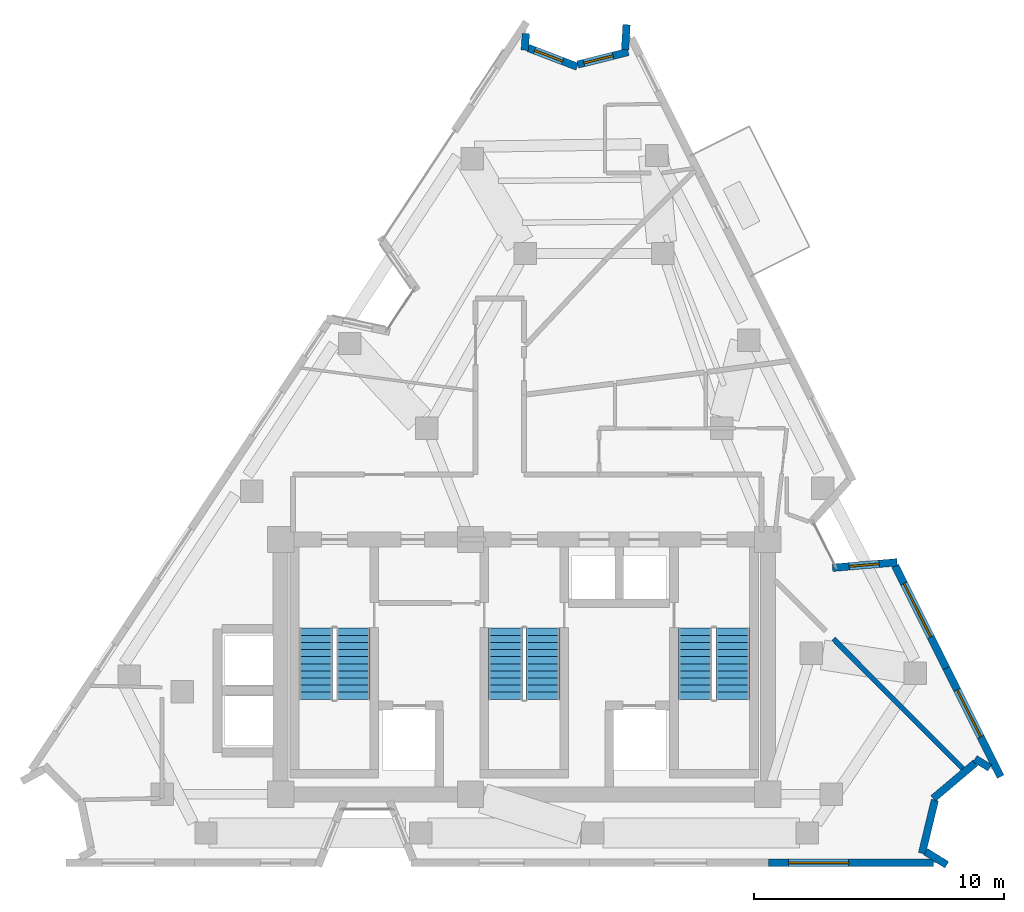
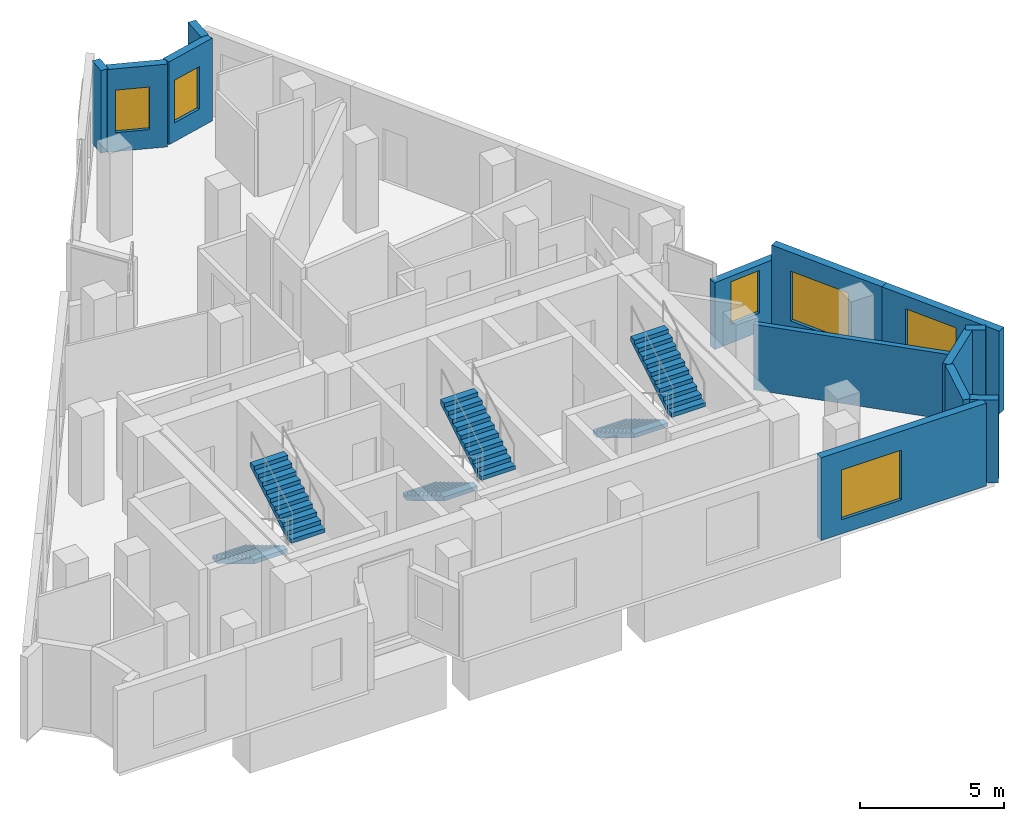
# One storey, part 8 of 9: 13 walls, 6 stair flights, 6 windows, 6 openings, 3 elements without a shape of their own.
"""IFC4 building model written with IfcOpenShell, lengths in metres."""

import ifcopenshell
import ifcopenshell.guid

model = None  # the IFC model being written
_history = None  # IfcOwnerHistory: only IFC2X3 demands one
_inside = {}  # id of a spatial element -> (the spatial element, [elements in it])
_under = {}  # id of a project, library or spatial element -> (it, [spatial elements below it])
_declared = {}  # id of a project -> (the project, [libraries it declares])
_typed = {}  # id of a type object -> (the type object, [elements of that type])
_made_of = {}  # id of a material, layer set ... -> (it, [elements and type objects made of it])


def new_model(schema):
    """Start an empty IFC model of exactly this schema.

    Asked for "IFC4X3", IfcOpenShell would pick the latest addendum, in which some entities
    have other attributes; the version numbers below select the first issue.
    IFC2X3 requires an IfcOwnerHistory on every rooted entity: one is made here for all.
    """
    global model, _history
    if schema == "IFC4X3":
        model = ifcopenshell.file(schema_version=(4, 3, 0, 0))
    else:
        model = ifcopenshell.file(schema=schema)
    _inside.clear()
    _under.clear()
    _declared.clear()
    _typed.clear()
    _made_of.clear()
    _history = None
    if model.schema == "IFC2X3":
        org = make("IfcOrganization", Name="unknown")
        user = make(
            "IfcPersonAndOrganization",
            ThePerson=make("IfcPerson", FamilyName="unknown"),
            TheOrganization=org,
        )
        app = make(
            "IfcApplication",
            ApplicationDeveloper=org,
            Version="unknown",
            ApplicationFullName="unknown",
            ApplicationIdentifier="unknown",
        )
        _history = make(
            "IfcOwnerHistory",
            OwningUser=user,
            OwningApplication=app,
            ChangeAction="ADDED",
            CreationDate=0,
        )
    return model


def make(cls, **values):
    """One entity of the class cls with the attributes given. An attribute that is None is left unset."""
    return model.create_entity(
        cls, **{name: value for name, value in values.items() if value is not None}
    )


def rooted(cls, **values):
    """An entity with a GlobalId (a new one), such as an element, a storey or a relation."""
    return make(cls, GlobalId=ifcopenshell.guid.new(), OwnerHistory=_history, **values)


def si_unit(unit_type, name, prefix=None):
    """IfcSIUnit, for example si_unit("LENGTHUNIT", "METRE", prefix="MILLI")."""
    return make("IfcSIUnit", UnitType=unit_type, Prefix=prefix, Name=name)


def assignment(units):
    """IfcUnitAssignment: the units of a project."""
    return None if units is None else make("IfcUnitAssignment", Units=units)


def point(xyz):
    """IfcCartesianPoint."""
    return None if xyz is None else make("IfcCartesianPoint", Coordinates=xyz)


def direction(xyz):
    """IfcDirection."""
    return None if xyz is None else make("IfcDirection", DirectionRatios=xyz)


def frame(location, z_axis=None, x_axis=None):
    """IfcAxis2Placement3D, a coordinate frame: its origin and axes. An axis left out is left unset."""
    return make(
        "IfcAxis2Placement3D",
        Location=point(location),
        Axis=direction(z_axis),
        RefDirection=direction(x_axis),
    )


def frame_2d(location, x_axis=None):
    """IfcAxis2Placement2D, a coordinate frame in the plane: its origin and x axis."""
    return make(
        "IfcAxis2Placement2D", Location=point(location), RefDirection=direction(x_axis)
    )


def origin():
    """The frame at (0, 0, 0) with its axes left unset."""
    return frame((0.0, 0.0, 0.0))


def place(relative_to, where):
    """IfcLocalPlacement: puts the frame where relative to a parent placement (None: the world)."""
    return make(
        "IfcLocalPlacement", PlacementRelTo=relative_to, RelativePlacement=where
    )


def context(
    kind, dimensions, precision=None, world=None, true_north=None, identifier=None
):
    """IfcGeometricRepresentationContext, for example the 3D "Model" context."""
    return make(
        "IfcGeometricRepresentationContext",
        ContextIdentifier=identifier,
        ContextType=kind,
        CoordinateSpaceDimension=dimensions,
        Precision=precision,
        WorldCoordinateSystem=world,
        TrueNorth=true_north,
    )


def subcontext(parent, identifier, kind, view, scale=None):
    """IfcGeometricRepresentationSubContext, for example "Body" below "Model"."""
    return make(
        "IfcGeometricRepresentationSubContext",
        ContextIdentifier=identifier,
        ContextType=kind,
        ParentContext=parent,
        TargetScale=scale,
        TargetView=view,
    )


def project(units=None, contexts=None):
    """IfcProject with its units and contexts."""
    return rooted(
        "IfcProject",
        Name="project",
        RepresentationContexts=contexts,
        UnitsInContext=assignment(units),
    )


def spatial(cls, under=None, at=None, **own):
    """A site, building, storey or space (cls), placed at a placement, below another one or the project."""
    s = rooted(cls, ObjectPlacement=at, **own)
    if under is not None:
        _under.setdefault(under.id(), (under, []))[1].append(s)
    return s


def polyline(points):
    """IfcPolyline through the points."""
    return make("IfcPolyline", Points=[point(p) for p in points])


def profile(cls, at=None, kind="AREA", **sizes):
    """A parametric profile (cls). Its sizes go by their IFC names, for example OverallWidth=200.0."""
    return make(cls, ProfileType=kind, Position=at, **sizes)


def rectangle(**sizes):
    """IfcRectangleProfileDef."""
    return profile("IfcRectangleProfileDef", **sizes)


def outline(outer, holes=None, kind="AREA"):
    """IfcArbitraryClosedProfileDef: a profile drawn as a closed curve; with holes, ...WithVoids."""
    if holes is None:
        return make("IfcArbitraryClosedProfileDef", ProfileType=kind, OuterCurve=outer)
    return make(
        "IfcArbitraryProfileDefWithVoids",
        ProfileType=kind,
        OuterCurve=outer,
        InnerCurves=holes,
    )


def extrude(swept, where, along, depth):
    """IfcExtrudedAreaSolid: the profile swept, set in the frame where, extruded along a direction by depth."""
    return make(
        "IfcExtrudedAreaSolid",
        SweptArea=swept,
        Position=where,
        ExtrudedDirection=direction(along),
        Depth=depth,
    )


def shape(context_of_items, identifier, shape_type, items):
    """IfcShapeRepresentation: the items that make up one representation, for example the "Body"."""
    return make(
        "IfcShapeRepresentation",
        ContextOfItems=context_of_items,
        RepresentationIdentifier=identifier,
        RepresentationType=shape_type,
        Items=items,
    )


def material(Name=None, Category=None):
    """IfcMaterial."""
    return make("IfcMaterial", Name=Name, Category=Category)


def layer(
    of_material, thickness, ventilated=None, Name=None, Category=None, Priority=None
):
    """IfcMaterialLayer: one layer of a wall or slab, of a material (None: an air gap)."""
    return make(
        "IfcMaterialLayer",
        Material=of_material,
        LayerThickness=thickness,
        IsVentilated=ventilated,
        Name=Name,
        Category=Category,
        Priority=Priority,
    )


def layer_set(layers, Name=None):
    """IfcMaterialLayerSet."""
    return make("IfcMaterialLayerSet", MaterialLayers=layers, LayerSetName=Name)


def made_of(thing, what):
    """Note that an element or type object is made of a material, layer set ...; save() writes the relation."""
    if what is not None:
        _made_of.setdefault(what.id(), (what, []))[1].append(thing)
    return thing


def type_object(cls, material=None, **own):
    """A type object (cls), such as IfcWallType, which elements share."""
    return made_of(rooted(cls, **own), material)


def element(
    cls,
    number,
    at=None,
    inside=None,
    cuts=None,
    type_object=None,
    material=None,
    context=None,
    identifier="Body",
    shape_type=None,
    held_by="IfcProductDefinitionShape",
    body=None,
    shapes=None,
    **own,
):
    """One element of the class cls, such as IfcWall. Its Tag is "e" and its number.

    at: its placement. inside: the storey or other place that contains it. cuts: it is an
    opening in that element (IfcRelVoidsElement). A single representation is given by context,
    identifier, shape_type and body (its items); several are given by shapes. held_by: the class
    of the entity that holds the representations. save() writes the other relations.
    """
    e = rooted(cls, Tag="e%d" % number, ObjectPlacement=at, **own)
    if body is not None:
        shapes = [shape(context, identifier, shape_type, body)]
    if shapes is not None:
        e.Representation = make(held_by, Representations=shapes)
    if inside is not None:
        _inside.setdefault(inside.id(), (inside, []))[1].append(e)
    if cuts is not None:
        rooted(
            "IfcRelVoidsElement", RelatingBuildingElement=cuts, RelatedOpeningElement=e
        )
    if type_object is not None:
        _typed.setdefault(type_object.id(), (type_object, []))[1].append(e)
    return made_of(e, material)


def fill(opening, filler):
    """IfcRelFillsElement: the door or window that sits in an opening."""
    return rooted(
        "IfcRelFillsElement",
        RelatingOpeningElement=opening,
        RelatedBuildingElement=filler,
    )


def aggregate(whole, parts):
    """IfcRelAggregates: a whole, such as a stair, and the parts it consists of."""
    return rooted("IfcRelAggregates", RelatingObject=whole, RelatedObjects=parts)


def save(model, path):
    """Write the relations noted so far, then the file.

    IfcRelAggregates (storeys below a building ...), IfcRelContainedInSpatialStructure (elements
    in a storey), IfcRelDefinesByType, IfcRelAssociatesMaterial and IfcRelDeclares: one each for
    every whole, place, type object, material and project.
    """
    for whole, parts in _under.values():
        aggregate(whole, parts)
    for where, things in _inside.values():
        rooted(
            "IfcRelContainedInSpatialStructure",
            RelatedElements=things,
            RelatingStructure=where,
        )
    for kind, things in _typed.values():
        rooted("IfcRelDefinesByType", RelatedObjects=things, RelatingType=kind)
    for what, things in _made_of.values():
        rooted("IfcRelAssociatesMaterial", RelatedObjects=things, RelatingMaterial=what)
    for by, libraries in _declared.values():
        rooted("IfcRelDeclares", RelatingContext=by, RelatedDefinitions=libraries)
    model.write(path)


model = new_model("IFC4")

# Units and contexts
model_context = context("Model", 3, precision=1e-05, world=origin(), true_north=direction((0.0, 1.0)))
body_context = subcontext(model_context, "Body", "Model", "MODEL_VIEW")
ifc_project = project(units=[si_unit("LENGTHUNIT", "METRE"), si_unit("AREAUNIT", "SQUARE_METRE"), si_unit("VOLUMEUNIT", "CUBIC_METRE"), si_unit("PLANEANGLEUNIT", "RADIAN"), si_unit("MASSUNIT", "GRAM", prefix="KILO")], contexts=[model_context])

# Site, building, storey
site_placement = place(None, origin())
site = spatial("IfcSite", under=ifc_project, at=site_placement, CompositionType="ELEMENT")
building_placement = place(site_placement, origin())
building = spatial("IfcBuilding", under=site, at=building_placement, Name="Almagre Mirador Tower", CompositionType="ELEMENT")
storey_placement = place(building_placement, frame((0.0, 0.0, 252.0)))
storey = spatial("IfcBuildingStorey", under=building, at=storey_placement, Name="L65", CompositionType="ELEMENT", Elevation=252.0)

# Wall
ifc_material_1 = material(Name="Precast concrete C50/60", Category="concrete")
ifc_layer_1 = layer(ifc_material_1, 0.300048828125)
ifc_layer_set_1 = layer_set([ifc_layer_1], Name="Precast concrete C50/60")
wall_type_1 = type_object("IfcWallType", Name="WAL-EXT-300", PredefinedType="SOLIDWALL", material=ifc_layer_set_1)
wall_1_placement = place(storey_placement, frame((37.364013671875, 35.005859375, 0.0), z_axis=(0.0, 0.0, 1.0), x_axis=(-0.060517074116, -0.998167162223, 0.0)))
element("IfcWall", 1, at=wall_1_placement, inside=storey, type_object=wall_type_1, Name="L65 expressed almagre precast frame wall 04", PredefinedType="SOLIDWALL", context=body_context, shape_type="SweptSolid", body=[
    extrude(rectangle(XDim=0.669677734375, YDim=0.300048828125, at=frame_2d((0.3349609375, 0.0))), origin(), (0.0, 0.0, 1.0), 3.5),
])

# Wall, opening, window
wall_2_placement = place(storey_placement, frame((37.45361328125, 34.4306640625, 0.0), z_axis=(0.0, 0.0, 1.0), x_axis=(0.934285742141, -0.356525107155, 0.0)))
wall_2 = element("IfcWall", 2, at=wall_2_placement, inside=storey, type_object=wall_type_1, Name="L65 expressed almagre precast frame wall 05", PredefinedType="SOLIDWALL", context=body_context, shape_type="SweptSolid", body=[
    extrude(rectangle(XDim=2.107666015625, YDim=0.300048828125, at=frame_2d((1.0537109375, 0.0))), origin(), (0.0, 0.0, 1.0), 3.5),
])
opening_1_placement = place(wall_2_placement, frame((0.280029296875, 0.0, 0.800048828125)))
opening_1 = element("IfcOpeningElement", 3, at=opening_1_placement, cuts=wall_2, Name="Opening WN-04", PredefinedType="OPENING", context=body_context, shape_type="SweptSolid", body=[
    extrude(rectangle(XDim=1.199951171875, YDim=1.800048828125, at=frame_2d((0.60009765625, 0.89990234375))), frame((0.0, 0.159902, 0.0), z_axis=(0.0, -1.0, 0.0), x_axis=(1.0, 0.0, 0.0)), (0.0, 0.0, 1.0), 0.320049),
])
ifc_material_2 = material(Name="Dark solar-control laminated hurricane glass", Category="glass")
window_type_1 = type_object("IfcWindowType", Name="WIN-1200X1800", PartitioningType="SINGLE_PANEL", PredefinedType="WINDOW", material=ifc_material_2)
window_1_placement = place(opening_1_placement, origin())
window_1 = element("IfcWindow", 4, at=window_1_placement, inside=storey, type_object=window_type_1, Name="L65 recessed hurricane window L65-UJ-ST1", OverallHeight=1.800048828125, OverallWidth=1.199951171875, PartitioningType="SINGLE_PANEL", PredefinedType="WINDOW", context=body_context, shape_type="SweptSolid", body=[
    extrude(rectangle(XDim=1.199951171875, YDim=1.800048828125, at=frame_2d((0.60009765625, 0.89990234375))), frame((0.0, 0.030029296875, 0.0), z_axis=(0.0, -1.0, 0.0), x_axis=(1.0, 0.0, 0.0)), (0.0, 0.0, 1.0), 0.06005859375),
])
fill(opening_1, window_1)

wall_3_placement = place(storey_placement, frame((39.4423828125, 33.766357421875, 0.0), z_axis=(0.0, 0.0, 1.0), x_axis=(0.970636719037, 0.240550118805, 0.0)))
wall_3 = element("IfcWall", 5, at=wall_3_placement, inside=storey, type_object=wall_type_1, Name="L65 expressed almagre precast frame wall 06", PredefinedType="SOLIDWALL", context=body_context, shape_type="SweptSolid", body=[
    extrude(rectangle(XDim=2.083740234375, YDim=0.300048828125, at=frame_2d((1.0419921875, 0.0))), origin(), (0.0, 0.0, 1.0), 3.5),
])
opening_2_placement = place(wall_3_placement, frame((0.2548828125, 0.0, 0.800048828125)))
opening_2 = element("IfcOpeningElement", 6, at=opening_2_placement, cuts=wall_3, Name="Opening WN-04", PredefinedType="OPENING", context=body_context, shape_type="SweptSolid", body=[
    extrude(rectangle(XDim=1.199951171875, YDim=1.800048828125, at=frame_2d((0.60009765625, 0.89990234375))), frame((0.0, 0.159902, 0.0), z_axis=(0.0, -1.0, 0.0), x_axis=(1.0, 0.0, 0.0)), (0.0, 0.0, 1.0), 0.320049),
])
window_2_placement = place(opening_2_placement, origin())
window_2 = element("IfcWindow", 7, at=window_2_placement, inside=storey, type_object=window_type_1, Name="L65 recessed hurricane window L65-UJ-ST1", OverallHeight=1.800048828125, OverallWidth=1.199951171875, PartitioningType="SINGLE_PANEL", PredefinedType="WINDOW", context=body_context, shape_type="SweptSolid", body=[
    extrude(rectangle(XDim=1.199951171875, YDim=1.800048828125, at=frame_2d((0.60009765625, 0.89990234375))), frame((0.0, 0.030029296875, 0.0), z_axis=(0.0, -1.0, 0.0), x_axis=(1.0, 0.0, 0.0)), (0.0, 0.0, 1.0), 0.06005859375),
])
fill(opening_2, window_2)

# Wall
wall_4_placement = place(storey_placement, frame((41.3369140625, 34.36376953125, 0.0), z_axis=(0.0, 0.0, 1.0), x_axis=(0.060554036278, 0.998164920587, 0.0)))
element("IfcWall", 8, at=wall_4_placement, inside=storey, type_object=wall_type_1, Name="L65 expressed almagre precast frame wall 07", PredefinedType="SOLIDWALL", context=body_context, shape_type="SweptSolid", body=[
    extrude(rectangle(XDim=1.0, YDim=0.300048828125, at=frame_2d((0.5, 0.0))), origin(), (0.0, 0.0, 1.0), 3.5),
])

# Wall, opening, window
wall_5_placement = place(storey_placement, frame((49.642578125, 13.6171875, 0.0), z_axis=(0.0, 0.0, 1.0), x_axis=(0.996404097451, 0.084728239579, 0.0)))
wall_5 = element("IfcWall", 9, at=wall_5_placement, inside=storey, type_object=wall_type_1, Name="L65 expressed almagre precast frame wall 12", PredefinedType="SOLIDWALL", context=body_context, shape_type="SweptSolid", body=[
    extrude(rectangle(XDim=2.59326171875, YDim=0.300048828125, at=frame_2d((1.296630859375, 0.0))), origin(), (0.0, 0.0, 1.0), 2.824951171875),
])
opening_3_placement = place(wall_5_placement, frame((0.675048828125, 0.0, 0.800048828125)))
opening_3 = element("IfcOpeningElement", 10, at=opening_3_placement, cuts=wall_5, Name="Opening WN-04", PredefinedType="OPENING", context=body_context, shape_type="SweptSolid", body=[
    extrude(rectangle(XDim=1.199951171875, YDim=1.800048828125, at=frame_2d((0.60009765625, 0.89990234375))), frame((0.0, 0.159902, 0.0), z_axis=(0.0, -1.0, 0.0), x_axis=(1.0, 0.0, 0.0)), (0.0, 0.0, 1.0), 0.320049),
])
window_3_placement = place(opening_3_placement, origin())
window_3 = element("IfcWindow", 11, at=window_3_placement, inside=storey, type_object=window_type_1, Name="L65 recessed hurricane window L65-RST-D", OverallHeight=1.800048828125, OverallWidth=1.199951171875, PartitioningType="SINGLE_PANEL", PredefinedType="WINDOW", context=body_context, shape_type="SweptSolid", body=[
    extrude(rectangle(XDim=1.199951171875, YDim=1.800048828125, at=frame_2d((0.60009765625, 0.89990234375))), frame((0.0, 0.030029296875, 0.0), z_axis=(0.0, -1.0, 0.0), x_axis=(1.0, 0.0, 0.0)), (0.0, 0.0, 1.0), 0.06005859375),
])
fill(opening_3, window_3)

wall_6_placement = place(storey_placement, frame((52.149658203125, 13.69970703125, 0.0), z_axis=(0.0, 0.0, 1.0), x_axis=(0.44725622127, -0.894405876845, 0.0)))
wall_6 = element("IfcWall", 12, at=wall_6_placement, inside=storey, type_object=wall_type_1, Name="L65 expressed almagre precast frame wall 13", PredefinedType="SOLIDWALL", context=body_context, shape_type="SweptSolid", body=[
    extrude(rectangle(XDim=4.58203125, YDim=0.300048828125, at=frame_2d((2.291015625, 0.0))), origin(), (0.0, 0.0, 1.0), 3.5),
])
opening_4_placement = place(wall_6_placement, frame((0.794921875, 0.0, 0.60009765625)))
opening_4 = element("IfcOpeningElement", 13, at=opening_4_placement, cuts=wall_6, Name="Opening WN-02", PredefinedType="OPENING", context=body_context, shape_type="SweptSolid", body=[
    extrude(rectangle(XDim=2.39990234375, YDim=2.10009765625, at=frame_2d((1.199951171875, 1.050048828125))), frame((0.0, 0.159902, 0.0), z_axis=(0.0, -1.0, 0.0), x_axis=(1.0, 0.0, 0.0)), (0.0, 0.0, 1.0), 0.320049),
])
ifc_material_3 = material(Name="Dark solar-control laminated hurricane glass", Category="glass")
window_type_2 = type_object("IfcWindowType", Name="WIN-2400X2100", PartitioningType="TRIPLE_PANEL_VERTICAL", PredefinedType="WINDOW", material=ifc_material_3)
window_4_placement = place(opening_4_placement, origin())
window_4 = element("IfcWindow", 14, at=window_4_placement, inside=storey, type_object=window_type_2, Name="L65 recessed hurricane window L65-RST-D", OverallHeight=2.10009765625, OverallWidth=2.39990234375, PartitioningType="SINGLE_PANEL", PredefinedType="WINDOW", context=body_context, shape_type="SweptSolid", body=[
    extrude(rectangle(XDim=2.39990234375, YDim=2.10009765625, at=frame_2d((1.199951171875, 1.050048828125))), frame((0.0, 0.030029296875, 0.0), z_axis=(0.0, -1.0, 0.0), x_axis=(1.0, 0.0, 0.0)), (0.0, 0.0, 1.0), 0.06005859375),
])
fill(opening_4, window_4)

wall_7_placement = place(storey_placement, frame((54.198974609375, 9.6015625, 0.0), z_axis=(0.0, 0.0, 1.0), x_axis=(0.44723367998, -0.894417148478, 0.0)))
wall_7 = element("IfcWall", 15, at=wall_7_placement, inside=storey, type_object=wall_type_1, Name="L65 expressed almagre precast frame wall 14", PredefinedType="SOLIDWALL", context=body_context, shape_type="SweptSolid", body=[
    extrude(rectangle(XDim=4.8623046875, YDim=0.300048828125, at=frame_2d((2.43115234375, 0.0))), origin(), (0.0, 0.0, 1.0), 3.5),
])
opening_5_placement = place(wall_7_placement, frame((0.97509765625, 0.0, 0.550048828125)))
opening_5 = element("IfcOpeningElement", 16, at=opening_5_placement, cuts=wall_7, Name="Opening WN-05", PredefinedType="OPENING", context=body_context, shape_type="SweptSolid", body=[
    extrude(rectangle(XDim=2.10009765625, YDim=2.39990234375, at=frame_2d((1.050048828125, 1.199951171875))), frame((0.0, 0.159902, 0.0), z_axis=(0.0, -1.0, 0.0), x_axis=(1.0, 0.0, 0.0)), (0.0, 0.0, 1.0), 0.320049),
])
ifc_material_4 = material(Name="Dark solar-control laminated hurricane glass", Category="glass")
window_type_3 = type_object("IfcWindowType", Name="WIN-2100X2400", PartitioningType="DOUBLE_PANEL_VERTICAL", PredefinedType="WINDOW", material=ifc_material_4)
window_5_placement = place(opening_5_placement, origin())
window_5 = element("IfcWindow", 17, at=window_5_placement, inside=storey, type_object=window_type_3, Name="L65 recessed hurricane window L65-RST-D", OverallHeight=2.39990234375, OverallWidth=2.10009765625, PartitioningType="SINGLE_PANEL", PredefinedType="WINDOW", context=body_context, shape_type="SweptSolid", body=[
    extrude(rectangle(XDim=2.10009765625, YDim=2.39990234375, at=frame_2d((1.050048828125, 1.199951171875))), frame((0.0, 0.030029296875, 0.0), z_axis=(0.0, -1.0, 0.0), x_axis=(1.0, 0.0, 0.0)), (0.0, 0.0, 1.0), 0.06005859375),
])
fill(opening_5, window_5)

# Walls
wall_8_placement = place(storey_placement, frame((55.94091796875, 5.606689453125, 0.0), z_axis=(0.0, 0.0, 1.0), x_axis=(-0.850848828595, 0.525410573626, 0.0)))
element("IfcWall", 18, at=wall_8_placement, inside=storey, type_object=wall_type_1, Name="L65 expressed almagre precast frame wall 15", PredefinedType="SOLIDWALL", context=body_context, shape_type="SweptSolid", body=[
    extrude(rectangle(XDim=0.694580078125, YDim=0.300048828125, at=frame_2d((0.34716796875, 0.0))), origin(), (0.0, 0.0, 1.0), 3.5),
])
wall_9_placement = place(storey_placement, frame((55.365966796875, 5.810791015625, 0.0), z_axis=(0.0, 0.0, 1.0), x_axis=(-0.764070930708, -0.645132244464, 0.0)))
element("IfcWall", 19, at=wall_9_placement, inside=storey, type_object=wall_type_1, Name="L65 expressed almagre precast frame wall 16", PredefinedType="SOLIDWALL", context=body_context, shape_type="SweptSolid", body=[
    extrude(rectangle(XDim=2.216796875, YDim=0.300048828125, at=frame_2d((1.1083984375, 0.0))), origin(), (0.0, 0.0, 1.0), 3.5),
])
wall_10_placement = place(storey_placement, frame((53.742431640625, 4.3203125, 0.0), z_axis=(0.0, 0.0, 1.0), x_axis=(-0.235342539944, -0.971912490347, 0.0)))
element("IfcWall", 20, at=wall_10_placement, inside=storey, type_object=wall_type_1, Name="L65 expressed almagre precast frame wall 17", PredefinedType="SOLIDWALL", context=body_context, shape_type="SweptSolid", body=[
    extrude(rectangle(XDim=2.1982421875, YDim=0.300048828125, at=frame_2d((1.09912109375, 0.0))), origin(), (0.0, 0.0, 1.0), 3.5),
])
wall_11_placement = place(storey_placement, frame((53.36865234375, 2.251708984375, 0.0), z_axis=(0.0, 0.0, 1.0), x_axis=(0.85071769282, -0.52562287538, 0.0)))
element("IfcWall", 21, at=wall_11_placement, inside=storey, type_object=wall_type_1, Name="L65 expressed almagre precast frame wall 18", PredefinedType="SOLIDWALL", context=body_context, shape_type="SweptSolid", body=[
    extrude(rectangle(XDim=0.99951171875, YDim=0.300048828125, at=frame_2d((0.499755859375, 0.0))), origin(), (0.0, 0.0, 1.0), 3.5),
])

# Wall, opening, window
wall_12_placement = place(storey_placement, frame((53.679931640625, 1.800048828125, 0.0), z_axis=(0.0, 0.0, 1.0), x_axis=(-1.0, 0.0, 0.0)))
wall_12 = element("IfcWall", 22, at=wall_12_placement, inside=storey, type_object=wall_type_1, Name="L65 expressed almagre precast frame wall 19", PredefinedType="SOLIDWALL", context=body_context, shape_type="SweptSolid", body=[
    extrude(rectangle(XDim=6.599853515625, YDim=0.300048828125, at=frame_2d((3.2998046875, 0.0))), origin(), (0.0, 0.0, 1.0), 3.5),
])
opening_6_placement = place(wall_12_placement, frame((3.389892578125, 0.0, 0.60009765625)))
opening_6 = element("IfcOpeningElement", 23, at=opening_6_placement, cuts=wall_12, Name="Opening WN-02", PredefinedType="OPENING", context=body_context, shape_type="SweptSolid", body=[
    extrude(rectangle(XDim=2.39990234375, YDim=2.10009765625, at=frame_2d((1.199951171875, 1.050048828125))), frame((0.0, 0.159902, 0.0), z_axis=(0.0, -1.0, 0.0), x_axis=(1.0, 0.0, 0.0)), (0.0, 0.0, 1.0), 0.320049),
])
window_6_placement = place(opening_6_placement, origin())
window_6 = element("IfcWindow", 24, at=window_6_placement, inside=storey, type_object=window_type_2, Name="L65 recessed hurricane window L65-UC-BT", OverallHeight=2.10009765625, OverallWidth=2.39990234375, PartitioningType="SINGLE_PANEL", PredefinedType="WINDOW", context=body_context, shape_type="SweptSolid", body=[
    extrude(rectangle(XDim=2.39990234375, YDim=2.10009765625, at=frame_2d((1.199951171875, 1.050048828125))), frame((0.0, 0.030029296875, 0.0), z_axis=(0.0, -1.0, 0.0), x_axis=(1.0, 0.0, 0.0)), (0.0, 0.0, 1.0), 0.06005859375),
])
fill(opening_6, window_6)

# Wall
ifc_material_5 = material(Name="Gypsum acoustic stud partition", Category="other")
ifc_layer_2 = layer(ifc_material_5, 0.199951171875)
ifc_layer_set_2 = layer_set([ifc_layer_2], Name="Gypsum acoustic stud partition")
wall_type_2 = type_object("IfcWallType", Name="WAL-PRT-200-EI60", PredefinedType="PARTITIONING", material=ifc_layer_set_2)
wall_13_placement = place(storey_placement, frame((54.89404296875, 5.5419921875, 0.0), z_axis=(0.0, 0.0, 1.0), x_axis=(-0.706163807967, 0.708048498563, 0.0)))
element("IfcWall", 25, at=wall_13_placement, inside=storey, type_object=wall_type_2, Name="L65 interior partition 052", PredefinedType="PARTITIONING", context=body_context, shape_type="SweptSolid", body=[
    extrude(rectangle(XDim=7.3837890625, YDim=0.199951171875, at=frame_2d((3.69189453125, 0.0))), origin(), (0.0, 0.0, 1.0), 2.763916015625),
])

# Stair, stair flights
ifc_material_6 = material(Name="Concrete C45/55", Category="concrete")
stair_type = type_object("IfcStairType", Name="STR-DL-3750", PredefinedType="HALF_TURN_STAIR", material=ifc_material_6)
stair_1_placement = place(storey_placement, origin())
stair_1 = element("IfcStair", 26, at=stair_1_placement, inside=storey, type_object=stair_type, Name="L65 Protected exit stair ST-1", PredefinedType="HALF_TURN_STAIR")
ifc_material_7 = material(Name="Concrete C45/55", Category="concrete")
stair_flight_type = type_object("IfcStairFlightType", Name="FLT-DL-3750", PredefinedType="STRAIGHT", material=ifc_material_7)
stair_flight_1_placement = place(storey_placement, frame((28.949951171875, 11.199951171875, 0.0), z_axis=(0.0, 0.0, 1.0), x_axis=(0.0, -1.0, 0.0)))
stair_flight_1 = element("IfcStairFlight", 27, at=stair_flight_1_placement, type_object=stair_flight_type, Name="ST-1 flight 1", NumberOfRisers=11, NumberOfTreads=10, PredefinedType="STRAIGHT", RiserHeight=0.170454545, TreadLength=0.285, context=body_context, shape_type="SweptSolid", body=[
    extrude(outline(polyline([(0.0, 0.0), (0.0, 0.17041015625), (0.284912109375, 0.17041015625), (0.284912109375, 0.3408203125), (0.570068359375, 0.3408203125), (0.570068359375, 0.511474609375), (0.85498046875, 0.511474609375), (0.85498046875, 0.681884765625), (1.139892578125, 0.681884765625), (1.139892578125, 0.852294921875), (1.425048828125, 0.852294921875), (1.425048828125, 1.022705078125), (1.7099609375, 1.022705078125), (1.7099609375, 1.193115234375), (1.9951171875, 1.193115234375), (1.9951171875, 1.363525390625), (2.280029296875, 1.363525390625), (2.280029296875, 1.5341796875), (2.56494140625, 1.5341796875), (2.56494140625, 1.70458984375), (2.85009765625, 1.70458984375), (2.85009765625, 1.875), (2.85009765625, 1.52978515625), (0.2919921875, 0.0), (0.0, 0.0)])), frame((0.0, 0.675048828125, 0.0), z_axis=(0.0, -1.0, 0.0), x_axis=(1.0, 0.0, 0.0)), (0.0, 0.0, 1.0), 1.35009765625),
])
stair_flight_2_placement = place(storey_placement, frame((30.449951171875, 8.35009765625, 1.875), z_axis=(0.0, 0.0, 1.0), x_axis=(0.0, 1.0, 0.0)))
stair_flight_2 = element("IfcStairFlight", 28, at=stair_flight_2_placement, type_object=stair_flight_type, Name="ST-1 flight 2", NumberOfRisers=11, NumberOfTreads=10, PredefinedType="STRAIGHT", RiserHeight=0.170454545, TreadLength=0.285, context=body_context, shape_type="SweptSolid", body=[
    extrude(outline(polyline([(0.0, 0.0), (0.0, 0.17041015625), (0.284912109375, 0.17041015625), (0.284912109375, 0.3408203125), (0.570068359375, 0.3408203125), (0.570068359375, 0.511474609375), (0.85498046875, 0.511474609375), (0.85498046875, 0.681884765625), (1.139892578125, 0.681884765625), (1.139892578125, 0.852294921875), (1.425048828125, 0.852294921875), (1.425048828125, 1.022705078125), (1.7099609375, 1.022705078125), (1.7099609375, 1.193115234375), (1.9951171875, 1.193115234375), (1.9951171875, 1.363525390625), (2.280029296875, 1.363525390625), (2.280029296875, 1.5341796875), (2.56494140625, 1.5341796875), (2.56494140625, 1.70458984375), (2.85009765625, 1.70458984375), (2.85009765625, 1.875), (2.85009765625, 1.52978515625), (0.2919921875, 0.0), (0.0, 0.0)])), frame((0.0, 0.675048828125, 0.0), z_axis=(0.0, -1.0, 0.0), x_axis=(1.0, 0.0, 0.0)), (0.0, 0.0, 1.0), 1.35009765625),
])
aggregate(stair_1, [stair_flight_1, stair_flight_2])

stair_2_placement = place(storey_placement, origin())
stair_2 = element("IfcStair", 29, at=stair_2_placement, inside=storey, type_object=stair_type, Name="L65 Protected exit stair ST-2", PredefinedType="HALF_TURN_STAIR")
stair_flight_3_placement = place(storey_placement, frame((36.550048828125, 11.199951171875, 0.0), z_axis=(0.0, 0.0, 1.0), x_axis=(0.0, -1.0, 0.0)))
stair_flight_3 = element("IfcStairFlight", 30, at=stair_flight_3_placement, type_object=stair_flight_type, Name="ST-2 flight 1", NumberOfRisers=11, NumberOfTreads=10, PredefinedType="STRAIGHT", RiserHeight=0.170454545, TreadLength=0.285, context=body_context, shape_type="SweptSolid", body=[
    extrude(outline(polyline([(0.0, 0.0), (0.0, 0.17041015625), (0.284912109375, 0.17041015625), (0.284912109375, 0.3408203125), (0.570068359375, 0.3408203125), (0.570068359375, 0.511474609375), (0.85498046875, 0.511474609375), (0.85498046875, 0.681884765625), (1.139892578125, 0.681884765625), (1.139892578125, 0.852294921875), (1.425048828125, 0.852294921875), (1.425048828125, 1.022705078125), (1.7099609375, 1.022705078125), (1.7099609375, 1.193115234375), (1.9951171875, 1.193115234375), (1.9951171875, 1.363525390625), (2.280029296875, 1.363525390625), (2.280029296875, 1.5341796875), (2.56494140625, 1.5341796875), (2.56494140625, 1.70458984375), (2.85009765625, 1.70458984375), (2.85009765625, 1.875), (2.85009765625, 1.52978515625), (0.2919921875, 0.0), (0.0, 0.0)])), frame((0.0, 0.675048828125, 0.0), z_axis=(0.0, -1.0, 0.0), x_axis=(1.0, 0.0, 0.0)), (0.0, 0.0, 1.0), 1.35009765625),
])
stair_flight_4_placement = place(storey_placement, frame((38.050048828125, 8.35009765625, 1.875), z_axis=(0.0, 0.0, 1.0), x_axis=(0.0, 1.0, 0.0)))
stair_flight_4 = element("IfcStairFlight", 31, at=stair_flight_4_placement, type_object=stair_flight_type, Name="ST-2 flight 2", NumberOfRisers=11, NumberOfTreads=10, PredefinedType="STRAIGHT", RiserHeight=0.170454545, TreadLength=0.285, context=body_context, shape_type="SweptSolid", body=[
    extrude(outline(polyline([(0.0, 0.0), (0.0, 0.17041015625), (0.284912109375, 0.17041015625), (0.284912109375, 0.3408203125), (0.570068359375, 0.3408203125), (0.570068359375, 0.511474609375), (0.85498046875, 0.511474609375), (0.85498046875, 0.681884765625), (1.139892578125, 0.681884765625), (1.139892578125, 0.852294921875), (1.425048828125, 0.852294921875), (1.425048828125, 1.022705078125), (1.7099609375, 1.022705078125), (1.7099609375, 1.193115234375), (1.9951171875, 1.193115234375), (1.9951171875, 1.363525390625), (2.280029296875, 1.363525390625), (2.280029296875, 1.5341796875), (2.56494140625, 1.5341796875), (2.56494140625, 1.70458984375), (2.85009765625, 1.70458984375), (2.85009765625, 1.875), (2.85009765625, 1.52978515625), (0.2919921875, 0.0), (0.0, 0.0)])), frame((0.0, 0.675048828125, 0.0), z_axis=(0.0, -1.0, 0.0), x_axis=(1.0, 0.0, 0.0)), (0.0, 0.0, 1.0), 1.35009765625),
])
aggregate(stair_2, [stair_flight_3, stair_flight_4])

stair_3_placement = place(storey_placement, origin())
stair_3 = element("IfcStair", 32, at=stair_3_placement, inside=storey, type_object=stair_type, Name="L65 Protected exit stair ST-3", PredefinedType="HALF_TURN_STAIR")
stair_flight_5_placement = place(storey_placement, frame((44.14990234375, 11.199951171875, 0.0), z_axis=(0.0, 0.0, 1.0), x_axis=(0.0, -1.0, 0.0)))
stair_flight_5 = element("IfcStairFlight", 33, at=stair_flight_5_placement, type_object=stair_flight_type, Name="ST-3 flight 1", NumberOfRisers=11, NumberOfTreads=10, PredefinedType="STRAIGHT", RiserHeight=0.170454545, TreadLength=0.285, context=body_context, shape_type="SweptSolid", body=[
    extrude(outline(polyline([(0.0, 0.0), (0.0, 0.17041015625), (0.284912109375, 0.17041015625), (0.284912109375, 0.3408203125), (0.570068359375, 0.3408203125), (0.570068359375, 0.511474609375), (0.85498046875, 0.511474609375), (0.85498046875, 0.681884765625), (1.139892578125, 0.681884765625), (1.139892578125, 0.852294921875), (1.425048828125, 0.852294921875), (1.425048828125, 1.022705078125), (1.7099609375, 1.022705078125), (1.7099609375, 1.193115234375), (1.9951171875, 1.193115234375), (1.9951171875, 1.363525390625), (2.280029296875, 1.363525390625), (2.280029296875, 1.5341796875), (2.56494140625, 1.5341796875), (2.56494140625, 1.70458984375), (2.85009765625, 1.70458984375), (2.85009765625, 1.875), (2.85009765625, 1.52978515625), (0.2919921875, 0.0), (0.0, 0.0)])), frame((0.0, 0.675048828125, 0.0), z_axis=(0.0, -1.0, 0.0), x_axis=(1.0, 0.0, 0.0)), (0.0, 0.0, 1.0), 1.35009765625),
])
stair_flight_6_placement = place(storey_placement, frame((45.64990234375, 8.35009765625, 1.875), z_axis=(0.0, 0.0, 1.0), x_axis=(0.0, 1.0, 0.0)))
stair_flight_6 = element("IfcStairFlight", 34, at=stair_flight_6_placement, type_object=stair_flight_type, Name="ST-3 flight 2", NumberOfRisers=11, NumberOfTreads=10, PredefinedType="STRAIGHT", RiserHeight=0.170454545, TreadLength=0.285, context=body_context, shape_type="SweptSolid", body=[
    extrude(outline(polyline([(0.0, 0.0), (0.0, 0.17041015625), (0.284912109375, 0.17041015625), (0.284912109375, 0.3408203125), (0.570068359375, 0.3408203125), (0.570068359375, 0.511474609375), (0.85498046875, 0.511474609375), (0.85498046875, 0.681884765625), (1.139892578125, 0.681884765625), (1.139892578125, 0.852294921875), (1.425048828125, 0.852294921875), (1.425048828125, 1.022705078125), (1.7099609375, 1.022705078125), (1.7099609375, 1.193115234375), (1.9951171875, 1.193115234375), (1.9951171875, 1.363525390625), (2.280029296875, 1.363525390625), (2.280029296875, 1.5341796875), (2.56494140625, 1.5341796875), (2.56494140625, 1.70458984375), (2.85009765625, 1.70458984375), (2.85009765625, 1.875), (2.85009765625, 1.52978515625), (0.2919921875, 0.0), (0.0, 0.0)])), frame((0.0, 0.675048828125, 0.0), z_axis=(0.0, -1.0, 0.0), x_axis=(1.0, 0.0, 0.0)), (0.0, 0.0, 1.0), 1.35009765625),
])
aggregate(stair_3, [stair_flight_5, stair_flight_6])

save(model, "model.ifc")
